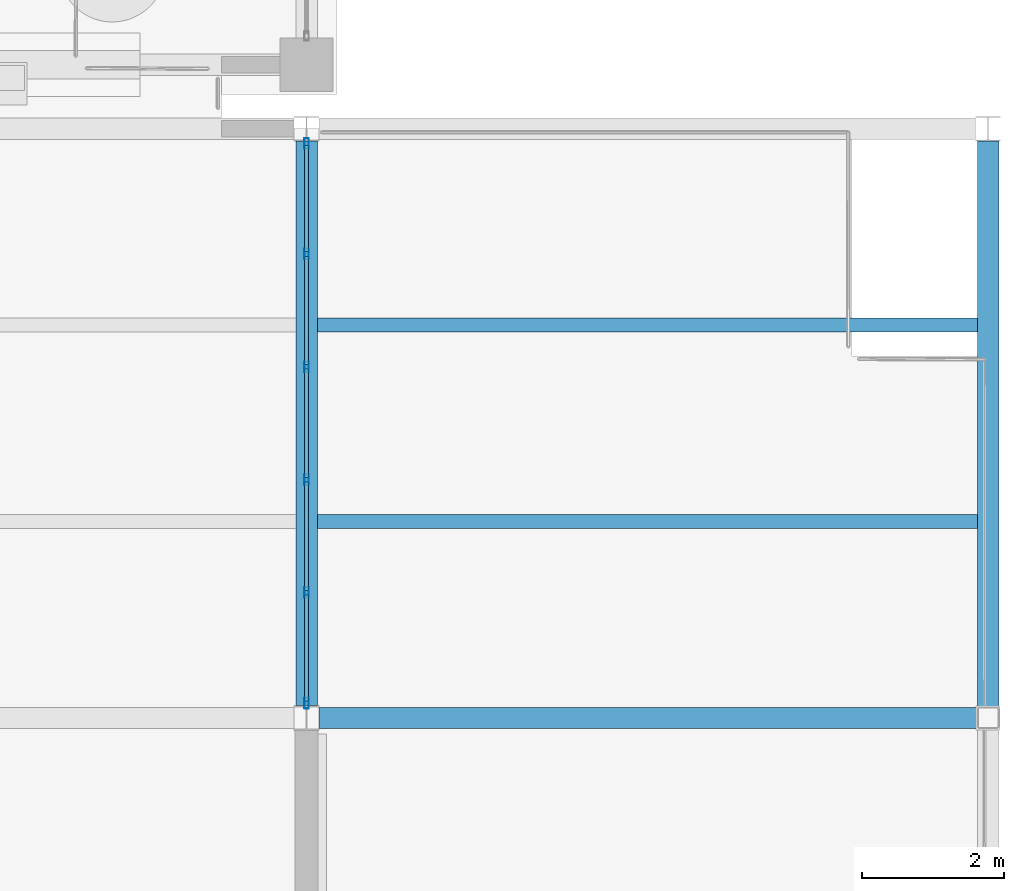
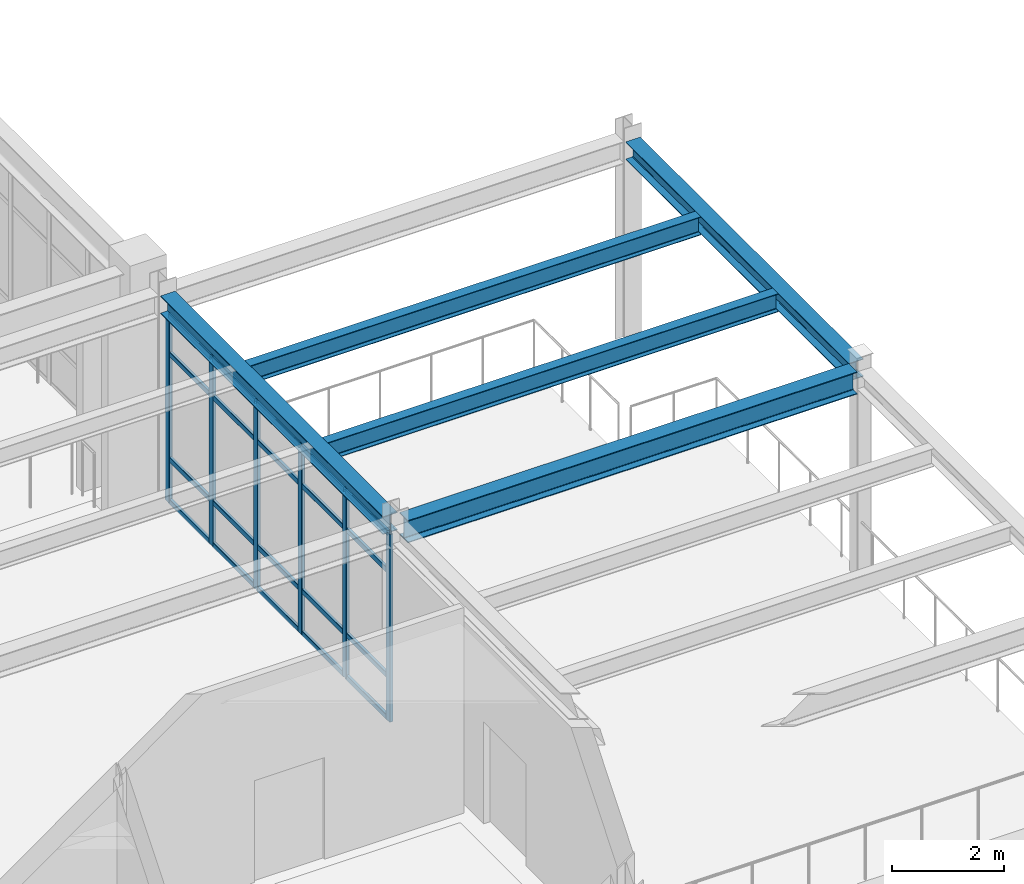
# One storey, part 38 of 139: 26 members, 5 beams, 1 element without a shape of its own.
"""IFC4 building model written with IfcOpenShell, lengths in metres."""

from ifc_helpers import new_model, si_unit, direction, frame, origin, origin_2d, place, context, subcontext, project, spatial, hollow_rectangle, i_section, extrude, material, material_profile, profile_set, type_object, element, aggregate, save


model = new_model("IFC4")

# Units and contexts
model_context = context("Model", 3, precision=1e-05, world=origin(), true_north=direction((0.0, 1.0)))
body_context = subcontext(model_context, "Body", "Model", "MODEL_VIEW")
ifc_project = project(units=[si_unit("LENGTHUNIT", "METRE"), si_unit("AREAUNIT", "SQUARE_METRE"), si_unit("VOLUMEUNIT", "CUBIC_METRE"), si_unit("PLANEANGLEUNIT", "RADIAN"), si_unit("MASSUNIT", "GRAM", prefix="KILO")], contexts=[model_context])

# Site, building, storey
site_placement = place(None, origin())
site = spatial("IfcSite", under=ifc_project, at=site_placement, CompositionType="ELEMENT")
building_placement = place(site_placement, origin())
building = spatial("IfcBuilding", under=site, at=building_placement, Name="Canglan Escarpment Cableway Terminal", CompositionType="ELEMENT")
storey_placement = place(building_placement, frame((0.0, 0.0, 14.39990234375)))
storey = spatial("IfcBuildingStorey", under=building, at=storey_placement, Name="L03", CompositionType="ELEMENT", Elevation=14.39990234375)

# Beams
ifc_material_1 = material(Name="Steel Q355B", Category="steel")
ifc_material_profile_1 = material_profile(ifc_material_1, i_section(OverallWidth=0.300048828125, OverallDepth=0.389892578125, WebThickness=0.010009765625, FlangeThickness=0.01611328125, FilletRadius=0.02197265625, at=origin_2d()), Name="HM 390x300x10x16")
ifc_profile_set_1 = profile_set([ifc_material_profile_1], Name="Steel Q355B")
beam_type_1 = type_object("IfcBeamType", Name="BM-ARCH-TOP-HM390", PredefinedType="BEAM", material=ifc_profile_set_1)
beam_1_placement = place(storey_placement, frame((166.39990234375, 24.97509765625, 4.30517578125), z_axis=(0.0, 1.0, 0.0), x_axis=(-1.0, 0.0, 0.0)))
element("IfcBeam", 1, at=beam_1_placement, inside=storey, type_object=beam_type_1, Name="Primary transverse girder AR-TC1", PredefinedType="BEAM", context=body_context, shape_type="SweptSolid", body=[
    extrude(i_section(OverallWidth=0.300048828125, OverallDepth=0.389892578125, WebThickness=0.010009765625, FlangeThickness=0.01611328125, FilletRadius=0.02197265625, at=origin_2d()), origin(), (0.0, 0.0, 1.0), 7.949951171875),
])
beam_2_placement = place(storey_placement, frame((176.0, 24.949951171875, 4.30517578125), z_axis=(0.0, 1.0, 0.0), x_axis=(-1.0, 0.0, 0.0)))
element("IfcBeam", 2, at=beam_2_placement, inside=storey, type_object=beam_type_1, Name="Primary transverse girder AR-TC1", PredefinedType="BEAM", context=body_context, shape_type="SweptSolid", body=[
    extrude(i_section(OverallWidth=0.300048828125, OverallDepth=0.389892578125, WebThickness=0.010009765625, FlangeThickness=0.01611328125, FilletRadius=0.02197265625, at=origin_2d()), origin(), (0.0, 0.0, 1.0), 7.97509765625),
])
ifc_material_profile_2 = material_profile(ifc_material_1, i_section(OverallWidth=0.300048828125, OverallDepth=0.488037109375, WebThickness=0.010986328125, FlangeThickness=0.01806640625, FilletRadius=0.02587890625, at=origin_2d()), Name="HM 488x300x11x18")
ifc_profile_set_2 = profile_set([ifc_material_profile_2], Name="Steel Q355B")
beam_type_2 = type_object("IfcBeamType", Name="BM-HM488", PredefinedType="BEAM", material=ifc_profile_set_2)
beam_3_placement = place(storey_placement, frame((166.574951171875, 24.800048828125, 4.256103515625), z_axis=(1.0, 0.0, 0.0), x_axis=(0.0, 1.0, 0.0)))
element("IfcBeam", 3, at=beam_3_placement, inside=storey, type_object=beam_type_2, Name="Primary structural girder B-09", PredefinedType="BEAM", context=body_context, shape_type="SweptSolid", body=[
    extrude(i_section(OverallWidth=0.300048828125, OverallDepth=0.488037109375, WebThickness=0.010986328125, FlangeThickness=0.01806640625, FilletRadius=0.02587890625, at=origin_2d()), origin(), (0.0, 0.0, 1.0), 9.275146484375),
])

# Curtain wall, members
ifc_material_2 = material(Name="Anodized bronze aluminium and Low-E double glazing", Category="aluminium")
curtain_wall_type = type_object("IfcCurtainWallType", Name="CW-BAY-7950x4100", PredefinedType="NOTDEFINED", material=ifc_material_2)
curtain_wall_placement = place(storey_placement, origin())
curtain_wall = element("IfcCurtainWall", 4, at=curtain_wall_placement, inside=storey, type_object=curtain_wall_type, Name="Classical bay-between-piers glazed curtain wall CW-31", PredefinedType="NOTDEFINED")
ifc_material_3 = material(Name="Thermally broken anodized aluminium 6063-T6", Category="aluminium")
ifc_material_profile_3 = material_profile(ifc_material_3, hollow_rectangle(XDim=0.06494140625, YDim=0.14990234375, WallThickness=0.00341796875, InnerFilletRadius=0.00341796875, OuterFilletRadius=0.007080078125, at=origin_2d()), Name="ALU-MULL 65x150x3.5")
ifc_profile_set_3 = profile_set([ifc_material_profile_3], Name="Thermally broken anodized aluminium 6063-T6")
member_type_1 = type_object("IfcMemberType", Name="CWM-02", PredefinedType="MULLION", material=ifc_profile_set_3)
member_1_placement = place(storey_placement, frame((166.39990234375, 25.007568359375, 0.0), z_axis=(0.0, 0.0, 1.0), x_axis=(-1.0, 0.0, 0.0)))
member_1 = element("IfcMember", 5, at=member_1_placement, type_object=member_type_1, Name="CW-31 mullion 1", PredefinedType="MULLION", context=body_context, shape_type="SweptSolid", body=[
    extrude(hollow_rectangle(XDim=0.06494140625, YDim=0.14990234375, WallThickness=0.00341796875, InnerFilletRadius=0.00341796875, OuterFilletRadius=0.007080078125, at=origin_2d()), origin(), (0.0, 0.0, 1.0), 4.09521484375),
])
member_2_placement = place(storey_placement, frame((166.39990234375, 26.56494140625, 0.0), z_axis=(0.0, 0.0, 1.0), x_axis=(-1.0, 0.0, 0.0)))
member_2 = element("IfcMember", 6, at=member_2_placement, type_object=member_type_1, Name="CW-31 mullion 2", PredefinedType="MULLION", context=body_context, shape_type="SweptSolid", body=[
    extrude(hollow_rectangle(XDim=0.06494140625, YDim=0.14990234375, WallThickness=0.00341796875, InnerFilletRadius=0.00341796875, OuterFilletRadius=0.007080078125, at=origin_2d()), origin(), (0.0, 0.0, 1.0), 4.09521484375),
])
member_3_placement = place(storey_placement, frame((166.39990234375, 28.155029296875, 0.0), z_axis=(0.0, 0.0, 1.0), x_axis=(-1.0, 0.0, 0.0)))
member_3 = element("IfcMember", 7, at=member_3_placement, type_object=member_type_1, Name="CW-31 mullion 3", PredefinedType="MULLION", context=body_context, shape_type="SweptSolid", body=[
    extrude(hollow_rectangle(XDim=0.06494140625, YDim=0.14990234375, WallThickness=0.00341796875, InnerFilletRadius=0.00341796875, OuterFilletRadius=0.007080078125, at=origin_2d()), origin(), (0.0, 0.0, 1.0), 4.09521484375),
])
member_4_placement = place(storey_placement, frame((166.39990234375, 29.7451171875, 0.0), z_axis=(0.0, 0.0, 1.0), x_axis=(-1.0, 0.0, 0.0)))
member_4 = element("IfcMember", 8, at=member_4_placement, type_object=member_type_1, Name="CW-31 mullion 4", PredefinedType="MULLION", context=body_context, shape_type="SweptSolid", body=[
    extrude(hollow_rectangle(XDim=0.06494140625, YDim=0.14990234375, WallThickness=0.00341796875, InnerFilletRadius=0.00341796875, OuterFilletRadius=0.007080078125, at=origin_2d()), origin(), (0.0, 0.0, 1.0), 4.09521484375),
])
member_5_placement = place(storey_placement, frame((166.39990234375, 31.3349609375, 0.0), z_axis=(0.0, 0.0, 1.0), x_axis=(-1.0, 0.0, 0.0)))
member_5 = element("IfcMember", 9, at=member_5_placement, type_object=member_type_1, Name="CW-31 mullion 5", PredefinedType="MULLION", context=body_context, shape_type="SweptSolid", body=[
    extrude(hollow_rectangle(XDim=0.06494140625, YDim=0.14990234375, WallThickness=0.00341796875, InnerFilletRadius=0.00341796875, OuterFilletRadius=0.007080078125, at=origin_2d()), origin(), (0.0, 0.0, 1.0), 4.09521484375),
])
member_6_placement = place(storey_placement, frame((166.39990234375, 32.892578125, 0.0), z_axis=(0.0, 0.0, 1.0), x_axis=(-1.0, 0.0, 0.0)))
member_6 = element("IfcMember", 10, at=member_6_placement, type_object=member_type_1, Name="CW-31 mullion 6", PredefinedType="MULLION", context=body_context, shape_type="SweptSolid", body=[
    extrude(hollow_rectangle(XDim=0.06494140625, YDim=0.14990234375, WallThickness=0.00341796875, InnerFilletRadius=0.00341796875, OuterFilletRadius=0.007080078125, at=origin_2d()), origin(), (0.0, 0.0, 1.0), 4.09521484375),
])
ifc_material_profile_4 = material_profile(ifc_material_3, hollow_rectangle(XDim=0.06005859375, YDim=0.110107421875, WallThickness=0.0029296875, InnerFilletRadius=0.0029296875, OuterFilletRadius=0.006103515625, at=origin_2d()), Name="ALU-TRAN 60x110x3")
ifc_profile_set_4 = profile_set([ifc_material_profile_4], Name="Thermally broken anodized aluminium 6063-T6")
member_type_2 = type_object("IfcMemberType", Name="CWT-02", PredefinedType="USERDEFINED", material=ifc_profile_set_4)
member_7_placement = place(storey_placement, frame((166.39990234375, 25.0400390625, 0.030029296875), z_axis=(0.0, 1.0, 0.0), x_axis=(-1.0, 0.0, 0.0)))
member_7 = element("IfcMember", 11, at=member_7_placement, type_object=member_type_2, Name="CW-31 transom 1.1", ObjectType="TRANSOM", PredefinedType="USERDEFINED", context=body_context, shape_type="SweptSolid", body=[
    extrude(hollow_rectangle(XDim=0.06005859375, YDim=0.110107421875, WallThickness=0.0029296875, InnerFilletRadius=0.0029296875, OuterFilletRadius=0.006103515625, at=origin_2d()), origin(), (0.0, 0.0, 1.0), 1.492431640625),
])
member_8_placement = place(storey_placement, frame((166.39990234375, 25.0400390625, 0.9501953125), z_axis=(0.0, 1.0, 0.0), x_axis=(-1.0, 0.0, 0.0)))
member_8 = element("IfcMember", 12, at=member_8_placement, type_object=member_type_2, Name="CW-31 transom 1.2", ObjectType="TRANSOM", PredefinedType="USERDEFINED", context=body_context, shape_type="SweptSolid", body=[
    extrude(hollow_rectangle(XDim=0.06005859375, YDim=0.110107421875, WallThickness=0.0029296875, InnerFilletRadius=0.0029296875, OuterFilletRadius=0.006103515625, at=origin_2d()), origin(), (0.0, 0.0, 1.0), 1.492431640625),
])
member_9_placement = place(storey_placement, frame((166.39990234375, 25.0400390625, 3.2451171875), z_axis=(0.0, 1.0, 0.0), x_axis=(-1.0, 0.0, 0.0)))
member_9 = element("IfcMember", 13, at=member_9_placement, type_object=member_type_2, Name="CW-31 transom 1.3", ObjectType="TRANSOM", PredefinedType="USERDEFINED", context=body_context, shape_type="SweptSolid", body=[
    extrude(hollow_rectangle(XDim=0.06005859375, YDim=0.110107421875, WallThickness=0.0029296875, InnerFilletRadius=0.0029296875, OuterFilletRadius=0.006103515625, at=origin_2d()), origin(), (0.0, 0.0, 1.0), 1.492431640625),
])
member_10_placement = place(storey_placement, frame((166.39990234375, 25.0400390625, 4.065185546875), z_axis=(0.0, 1.0, 0.0), x_axis=(-1.0, 0.0, 0.0)))
member_10 = element("IfcMember", 14, at=member_10_placement, type_object=member_type_2, Name="CW-31 transom 1.4", ObjectType="TRANSOM", PredefinedType="USERDEFINED", context=body_context, shape_type="SweptSolid", body=[
    extrude(hollow_rectangle(XDim=0.06005859375, YDim=0.110107421875, WallThickness=0.0029296875, InnerFilletRadius=0.0029296875, OuterFilletRadius=0.006103515625, at=origin_2d()), origin(), (0.0, 0.0, 1.0), 1.492431640625),
])
member_11_placement = place(storey_placement, frame((166.39990234375, 26.597412109375, 0.030029296875), z_axis=(0.0, 1.0, 0.0), x_axis=(-1.0, 0.0, 0.0)))
member_11 = element("IfcMember", 15, at=member_11_placement, type_object=member_type_2, Name="CW-31 transom 2.1", ObjectType="TRANSOM", PredefinedType="USERDEFINED", context=body_context, shape_type="SweptSolid", body=[
    extrude(hollow_rectangle(XDim=0.06005859375, YDim=0.110107421875, WallThickness=0.0029296875, InnerFilletRadius=0.0029296875, OuterFilletRadius=0.006103515625, at=origin_2d()), origin(), (0.0, 0.0, 1.0), 1.525146484375),
])
member_12_placement = place(storey_placement, frame((166.39990234375, 26.597412109375, 0.9501953125), z_axis=(0.0, 1.0, 0.0), x_axis=(-1.0, 0.0, 0.0)))
member_12 = element("IfcMember", 16, at=member_12_placement, type_object=member_type_2, Name="CW-31 transom 2.2", ObjectType="TRANSOM", PredefinedType="USERDEFINED", context=body_context, shape_type="SweptSolid", body=[
    extrude(hollow_rectangle(XDim=0.06005859375, YDim=0.110107421875, WallThickness=0.0029296875, InnerFilletRadius=0.0029296875, OuterFilletRadius=0.006103515625, at=origin_2d()), origin(), (0.0, 0.0, 1.0), 1.525146484375),
])
member_13_placement = place(storey_placement, frame((166.39990234375, 26.597412109375, 3.2451171875), z_axis=(0.0, 1.0, 0.0), x_axis=(-1.0, 0.0, 0.0)))
member_13 = element("IfcMember", 17, at=member_13_placement, type_object=member_type_2, Name="CW-31 transom 2.3", ObjectType="TRANSOM", PredefinedType="USERDEFINED", context=body_context, shape_type="SweptSolid", body=[
    extrude(hollow_rectangle(XDim=0.06005859375, YDim=0.110107421875, WallThickness=0.0029296875, InnerFilletRadius=0.0029296875, OuterFilletRadius=0.006103515625, at=origin_2d()), origin(), (0.0, 0.0, 1.0), 1.525146484375),
])
member_14_placement = place(storey_placement, frame((166.39990234375, 26.597412109375, 4.065185546875), z_axis=(0.0, 1.0, 0.0), x_axis=(-1.0, 0.0, 0.0)))
member_14 = element("IfcMember", 18, at=member_14_placement, type_object=member_type_2, Name="CW-31 transom 2.4", ObjectType="TRANSOM", PredefinedType="USERDEFINED", context=body_context, shape_type="SweptSolid", body=[
    extrude(hollow_rectangle(XDim=0.06005859375, YDim=0.110107421875, WallThickness=0.0029296875, InnerFilletRadius=0.0029296875, OuterFilletRadius=0.006103515625, at=origin_2d()), origin(), (0.0, 0.0, 1.0), 1.525146484375),
])
member_15_placement = place(storey_placement, frame((166.39990234375, 28.1875, 0.030029296875), z_axis=(0.0, 1.0, 0.0), x_axis=(-1.0, 0.0, 0.0)))
member_15 = element("IfcMember", 19, at=member_15_placement, type_object=member_type_2, Name="CW-31 transom 3.1", ObjectType="TRANSOM", PredefinedType="USERDEFINED", context=body_context, shape_type="SweptSolid", body=[
    extrude(hollow_rectangle(XDim=0.06005859375, YDim=0.110107421875, WallThickness=0.0029296875, InnerFilletRadius=0.0029296875, OuterFilletRadius=0.006103515625, at=origin_2d()), origin(), (0.0, 0.0, 1.0), 1.52490234375),
])
member_16_placement = place(storey_placement, frame((166.39990234375, 28.1875, 0.9501953125), z_axis=(0.0, 1.0, 0.0), x_axis=(-1.0, 0.0, 0.0)))
member_16 = element("IfcMember", 20, at=member_16_placement, type_object=member_type_2, Name="CW-31 transom 3.2", ObjectType="TRANSOM", PredefinedType="USERDEFINED", context=body_context, shape_type="SweptSolid", body=[
    extrude(hollow_rectangle(XDim=0.06005859375, YDim=0.110107421875, WallThickness=0.0029296875, InnerFilletRadius=0.0029296875, OuterFilletRadius=0.006103515625, at=origin_2d()), origin(), (0.0, 0.0, 1.0), 1.52490234375),
])
member_17_placement = place(storey_placement, frame((166.39990234375, 28.1875, 3.2451171875), z_axis=(0.0, 1.0, 0.0), x_axis=(-1.0, 0.0, 0.0)))
member_17 = element("IfcMember", 21, at=member_17_placement, type_object=member_type_2, Name="CW-31 transom 3.3", ObjectType="TRANSOM", PredefinedType="USERDEFINED", context=body_context, shape_type="SweptSolid", body=[
    extrude(hollow_rectangle(XDim=0.06005859375, YDim=0.110107421875, WallThickness=0.0029296875, InnerFilletRadius=0.0029296875, OuterFilletRadius=0.006103515625, at=origin_2d()), origin(), (0.0, 0.0, 1.0), 1.52490234375),
])
member_18_placement = place(storey_placement, frame((166.39990234375, 28.1875, 4.065185546875), z_axis=(0.0, 1.0, 0.0), x_axis=(-1.0, 0.0, 0.0)))
member_18 = element("IfcMember", 22, at=member_18_placement, type_object=member_type_2, Name="CW-31 transom 3.4", ObjectType="TRANSOM", PredefinedType="USERDEFINED", context=body_context, shape_type="SweptSolid", body=[
    extrude(hollow_rectangle(XDim=0.06005859375, YDim=0.110107421875, WallThickness=0.0029296875, InnerFilletRadius=0.0029296875, OuterFilletRadius=0.006103515625, at=origin_2d()), origin(), (0.0, 0.0, 1.0), 1.52490234375),
])
member_19_placement = place(storey_placement, frame((166.39990234375, 29.777587890625, 0.030029296875), z_axis=(0.0, 1.0, 0.0), x_axis=(-1.0, 0.0, 0.0)))
member_19 = element("IfcMember", 23, at=member_19_placement, type_object=member_type_2, Name="CW-31 transom 4.1", ObjectType="TRANSOM", PredefinedType="USERDEFINED", context=body_context, shape_type="SweptSolid", body=[
    extrude(hollow_rectangle(XDim=0.06005859375, YDim=0.110107421875, WallThickness=0.0029296875, InnerFilletRadius=0.0029296875, OuterFilletRadius=0.006103515625, at=origin_2d()), origin(), (0.0, 0.0, 1.0), 1.52490234375),
])
member_20_placement = place(storey_placement, frame((166.39990234375, 29.777587890625, 0.9501953125), z_axis=(0.0, 1.0, 0.0), x_axis=(-1.0, 0.0, 0.0)))
member_20 = element("IfcMember", 24, at=member_20_placement, type_object=member_type_2, Name="CW-31 transom 4.2", ObjectType="TRANSOM", PredefinedType="USERDEFINED", context=body_context, shape_type="SweptSolid", body=[
    extrude(hollow_rectangle(XDim=0.06005859375, YDim=0.110107421875, WallThickness=0.0029296875, InnerFilletRadius=0.0029296875, OuterFilletRadius=0.006103515625, at=origin_2d()), origin(), (0.0, 0.0, 1.0), 1.52490234375),
])
member_21_placement = place(storey_placement, frame((166.39990234375, 29.777587890625, 3.2451171875), z_axis=(0.0, 1.0, 0.0), x_axis=(-1.0, 0.0, 0.0)))
member_21 = element("IfcMember", 25, at=member_21_placement, type_object=member_type_2, Name="CW-31 transom 4.3", ObjectType="TRANSOM", PredefinedType="USERDEFINED", context=body_context, shape_type="SweptSolid", body=[
    extrude(hollow_rectangle(XDim=0.06005859375, YDim=0.110107421875, WallThickness=0.0029296875, InnerFilletRadius=0.0029296875, OuterFilletRadius=0.006103515625, at=origin_2d()), origin(), (0.0, 0.0, 1.0), 1.52490234375),
])
member_22_placement = place(storey_placement, frame((166.39990234375, 29.777587890625, 4.065185546875), z_axis=(0.0, 1.0, 0.0), x_axis=(-1.0, 0.0, 0.0)))
member_22 = element("IfcMember", 26, at=member_22_placement, type_object=member_type_2, Name="CW-31 transom 4.4", ObjectType="TRANSOM", PredefinedType="USERDEFINED", context=body_context, shape_type="SweptSolid", body=[
    extrude(hollow_rectangle(XDim=0.06005859375, YDim=0.110107421875, WallThickness=0.0029296875, InnerFilletRadius=0.0029296875, OuterFilletRadius=0.006103515625, at=origin_2d()), origin(), (0.0, 0.0, 1.0), 1.52490234375),
])
member_23_placement = place(storey_placement, frame((166.39990234375, 31.367431640625, 0.030029296875), z_axis=(0.0, 1.0, 0.0), x_axis=(-1.0, 0.0, 0.0)))
member_23 = element("IfcMember", 27, at=member_23_placement, type_object=member_type_2, Name="CW-31 transom 5.1", ObjectType="TRANSOM", PredefinedType="USERDEFINED", context=body_context, shape_type="SweptSolid", body=[
    extrude(hollow_rectangle(XDim=0.06005859375, YDim=0.110107421875, WallThickness=0.0029296875, InnerFilletRadius=0.0029296875, OuterFilletRadius=0.006103515625, at=origin_2d()), origin(), (0.0, 0.0, 1.0), 1.49267578125),
])
member_24_placement = place(storey_placement, frame((166.39990234375, 31.367431640625, 0.9501953125), z_axis=(0.0, 1.0, 0.0), x_axis=(-1.0, 0.0, 0.0)))
member_24 = element("IfcMember", 28, at=member_24_placement, type_object=member_type_2, Name="CW-31 transom 5.2", ObjectType="TRANSOM", PredefinedType="USERDEFINED", context=body_context, shape_type="SweptSolid", body=[
    extrude(hollow_rectangle(XDim=0.06005859375, YDim=0.110107421875, WallThickness=0.0029296875, InnerFilletRadius=0.0029296875, OuterFilletRadius=0.006103515625, at=origin_2d()), origin(), (0.0, 0.0, 1.0), 1.49267578125),
])
member_25_placement = place(storey_placement, frame((166.39990234375, 31.367431640625, 3.2451171875), z_axis=(0.0, 1.0, 0.0), x_axis=(-1.0, 0.0, 0.0)))
member_25 = element("IfcMember", 29, at=member_25_placement, type_object=member_type_2, Name="CW-31 transom 5.3", ObjectType="TRANSOM", PredefinedType="USERDEFINED", context=body_context, shape_type="SweptSolid", body=[
    extrude(hollow_rectangle(XDim=0.06005859375, YDim=0.110107421875, WallThickness=0.0029296875, InnerFilletRadius=0.0029296875, OuterFilletRadius=0.006103515625, at=origin_2d()), origin(), (0.0, 0.0, 1.0), 1.49267578125),
])
member_26_placement = place(storey_placement, frame((166.39990234375, 31.367431640625, 4.065185546875), z_axis=(0.0, 1.0, 0.0), x_axis=(-1.0, 0.0, 0.0)))
member_26 = element("IfcMember", 30, at=member_26_placement, type_object=member_type_2, Name="CW-31 transom 5.4", ObjectType="TRANSOM", PredefinedType="USERDEFINED", context=body_context, shape_type="SweptSolid", body=[
    extrude(hollow_rectangle(XDim=0.06005859375, YDim=0.110107421875, WallThickness=0.0029296875, InnerFilletRadius=0.0029296875, OuterFilletRadius=0.006103515625, at=origin_2d()), origin(), (0.0, 0.0, 1.0), 1.49267578125),
])
aggregate(curtain_wall, [member_1, member_2, member_3, member_4, member_5, member_6, member_7, member_8, member_9, member_10, member_11, member_12, member_13, member_14, member_15, member_16, member_17, member_18, member_19, member_20, member_21, member_22, member_23, member_24, member_25, member_26])

# Beams
ifc_material_profile_5 = material_profile(ifc_material_1, i_section(OverallWidth=0.199951171875, OverallDepth=0.39990234375, WebThickness=0.008056640625, FlangeThickness=0.012939453125, FilletRadius=0.01611328125, at=origin_2d()), Name="HN 400x200x8x13")
ifc_profile_set_5 = profile_set([ifc_material_profile_5], Name="Steel Q355B")
beam_type_3 = type_object("IfcBeamType", Name="JS-HN400", PredefinedType="JOIST", material=ifc_profile_set_5)
for number, where, z_axis, x_axis, name in (
    (31, (166.550048828125, 27.566650390625, 4.300048828125), (1.0, 0.0, 0.0), (0.0, 1.0, 0.0), "Secondary composite deck joist J-03"),
    (32, (166.550048828125, 30.333251953125, 4.300048828125), (1.0, 0.0, 0.0), (0.0, 1.0, 0.0), "Secondary composite deck joist J-03"),
):
    element("IfcBeam", number, at=place(storey_placement, frame(where, z_axis=z_axis, x_axis=x_axis)), inside=storey, type_object=beam_type_3, Name=name, PredefinedType="JOIST", context=body_context, shape_type="SweptSolid", body=[
        extrude(i_section(OverallWidth=0.199951171875, OverallDepth=0.39990234375, WebThickness=0.008056640625, FlangeThickness=0.012939453125, FilletRadius=0.01611328125, at=origin_2d()), origin(), (0.0, 0.0, 1.0), 9.300048828125),
    ])

save(model, "model.ifc")
